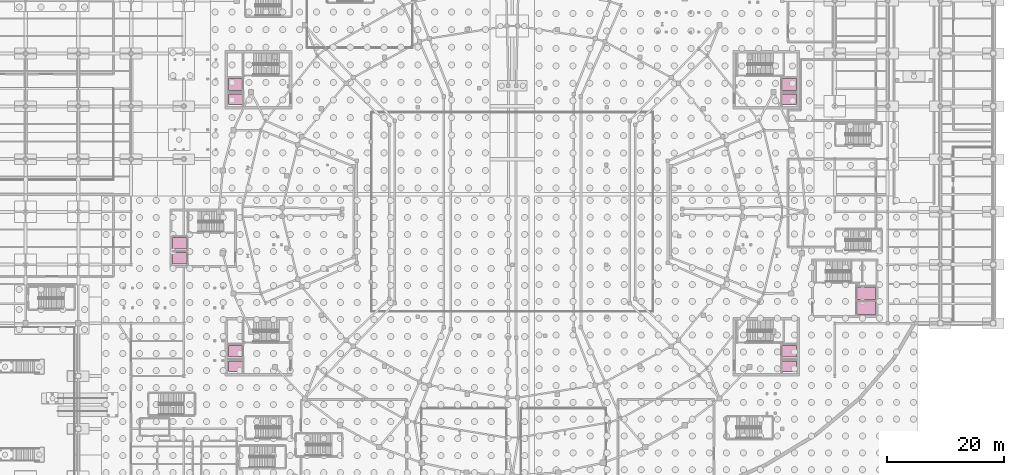
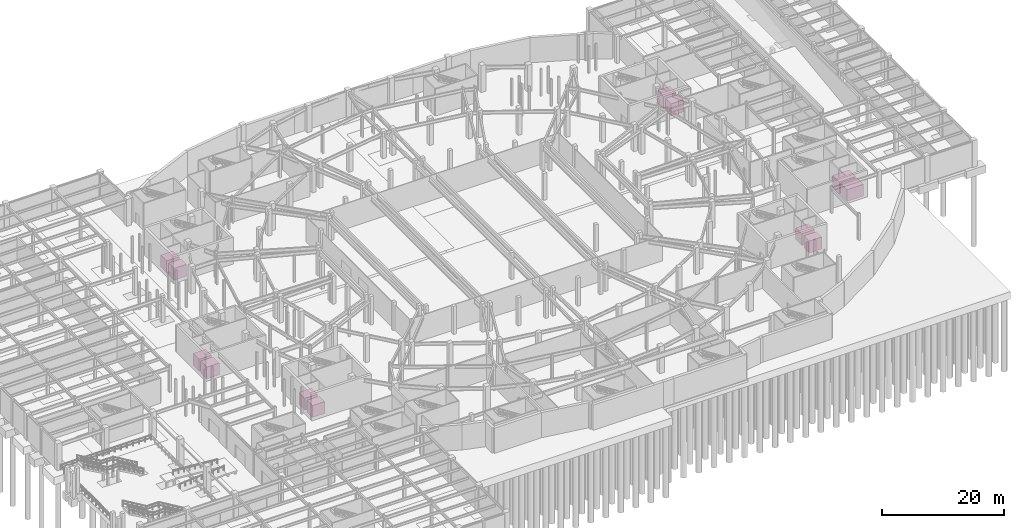
# One storey, part 56 of 56: 12 transport elements.
"""IFC4 building model written with IfcOpenShell, lengths in metres."""

from ifc_helpers import new_model, si_unit, direction, frame, origin, origin_2d, place, context, subcontext, project, spatial, rectangle, extrude, material, type_object, element, save


model = new_model("IFC4")

# Units and contexts
model_context = context("Model", 3, precision=1e-05, world=origin(), true_north=direction((0.0, 1.0)))
body_context = subcontext(model_context, "Body", "Model", "MODEL_VIEW")
ifc_project = project(units=[si_unit("LENGTHUNIT", "METRE"), si_unit("AREAUNIT", "SQUARE_METRE"), si_unit("VOLUMEUNIT", "CUBIC_METRE"), si_unit("PLANEANGLEUNIT", "RADIAN"), si_unit("MASSUNIT", "GRAM", prefix="KILO")], contexts=[model_context])

# Site, building, storey
site_placement = place(None, origin())
site = spatial("IfcSite", under=ifc_project, at=site_placement, CompositionType="ELEMENT")
building_placement = place(site_placement, origin())
building = spatial("IfcBuilding", under=site, at=building_placement, Name="Glasvene Arena", CompositionType="ELEMENT")
storey_placement = place(building_placement, frame((0.0, 0.0, -5.39990234375)))
storey = spatial("IfcBuildingStorey", under=building, at=storey_placement, Name="B1", CompositionType="ELEMENT", Elevation=-5.39990234375)

# Transport elements
ifc_material = material(Name="Brushed stainless steel", Category="steel")
transport_element_type_1 = type_object("IfcTransportElementType", Name="LF-FFL-1600", PredefinedType="ELEVATOR", material=ifc_material)
for number, where, z_axis, x_axis, name in (
    (1, (44.77490234375, 92.175048828125, 0.0), (0.0, 0.0, 1.0), (1.0, 0.0, 0.0), "Elevator car FFL-01"),
    (2, (139.22509765625, 92.175048828125, 0.0), (0.0, 0.0, 1.0), (1.0, 0.0, 0.0), "Elevator car FFL-02"),
    (3, (44.77490234375, 46.675048828125, 0.0), (0.0, 0.0, 1.0), (1.0, 0.0, 0.0), "Elevator car FFL-03"),
    (4, (139.22509765625, 46.675048828125, 0.0), (0.0, 0.0, 1.0), (1.0, 0.0, 0.0), "Elevator car FFL-04"),
):
    element("IfcTransportElement", number, at=place(storey_placement, frame(where, z_axis=z_axis, x_axis=x_axis)), inside=storey, type_object=transport_element_type_1, Name=name, PredefinedType="ELEVATOR", context=body_context, shape_type="SweptSolid", body=[
        extrude(rectangle(XDim=2.39990234375, YDim=1.800048828125, at=origin_2d()), origin(), (0.0, 0.0, 1.0), 2.39990234375),
    ])
transport_element_type_2 = type_object("IfcTransportElementType", Name="LF-GDS-4500", PredefinedType="ELEVATOR", material=ifc_material)
for number, where, z_axis, x_axis, name in (
    (5, (152.375, 56.574951171875, 0.0), (0.0, 0.0, 1.0), (1.0, 0.0, 0.0), "Elevator car GL-01"),
    (6, (152.375, 59.125, 0.0), (0.0, 0.0, 1.0), (1.0, 0.0, 0.0), "Elevator car GL-02"),
):
    element("IfcTransportElement", number, at=place(storey_placement, frame(where, z_axis=z_axis, x_axis=x_axis)), inside=storey, type_object=transport_element_type_2, Name=name, PredefinedType="ELEVATOR", context=body_context, shape_type="SweptSolid", body=[
        extrude(rectangle(XDim=3.10009765625, YDim=2.199951171875, at=origin_2d()), origin(), (0.0, 0.0, 1.0), 2.39990234375),
    ])
transport_element_type_3 = type_object("IfcTransportElementType", Name="LF-PAX-2000", PredefinedType="ELEVATOR", material=ifc_material)
for number, where, z_axis, x_axis, name in (
    (7, (44.77490234375, 94.72509765625, 0.0), (0.0, 0.0, 1.0), (1.0, 0.0, 0.0), "Elevator car PL-01"),
    (8, (139.22509765625, 94.72509765625, 0.0), (0.0, 0.0, 1.0), (1.0, 0.0, 0.0), "Elevator car PL-02"),
    (9, (44.77490234375, 49.22509765625, 0.0), (0.0, 0.0, 1.0), (1.0, 0.0, 0.0), "Elevator car PL-03"),
    (10, (139.22509765625, 49.22509765625, 0.0), (0.0, 0.0, 1.0), (1.0, 0.0, 0.0), "Elevator car PL-04"),
    (11, (35.27490234375, 65.074951171875, 0.0), (0.0, 0.0, 1.0), (1.0, 0.0, 0.0), "Elevator car PL-05"),
    (12, (35.27490234375, 67.625, 0.0), (0.0, 0.0, 1.0), (1.0, 0.0, 0.0), "Elevator car PL-06"),
):
    element("IfcTransportElement", number, at=place(storey_placement, frame(where, z_axis=z_axis, x_axis=x_axis)), inside=storey, type_object=transport_element_type_3, Name=name, PredefinedType="ELEVATOR", context=body_context, shape_type="SweptSolid", body=[
        extrude(rectangle(XDim=2.39990234375, YDim=2.0, at=origin_2d()), origin(), (0.0, 0.0, 1.0), 2.39990234375),
    ])

save(model, "model.ifc")
